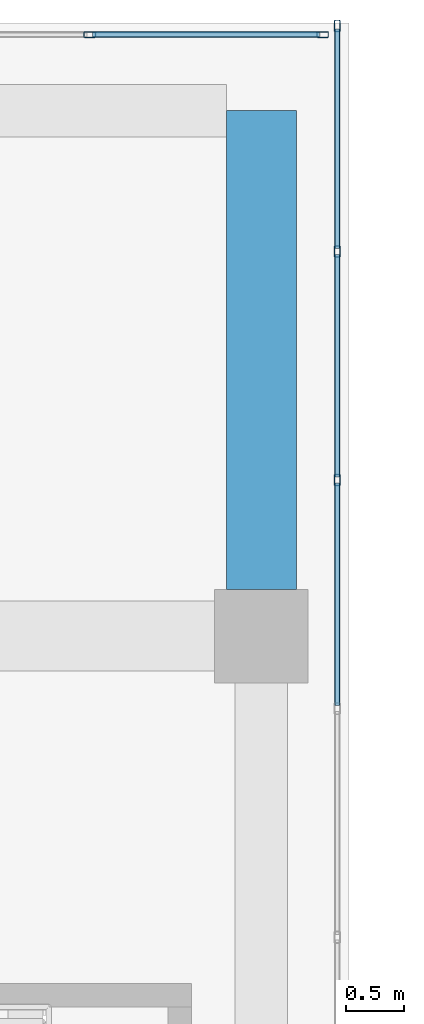
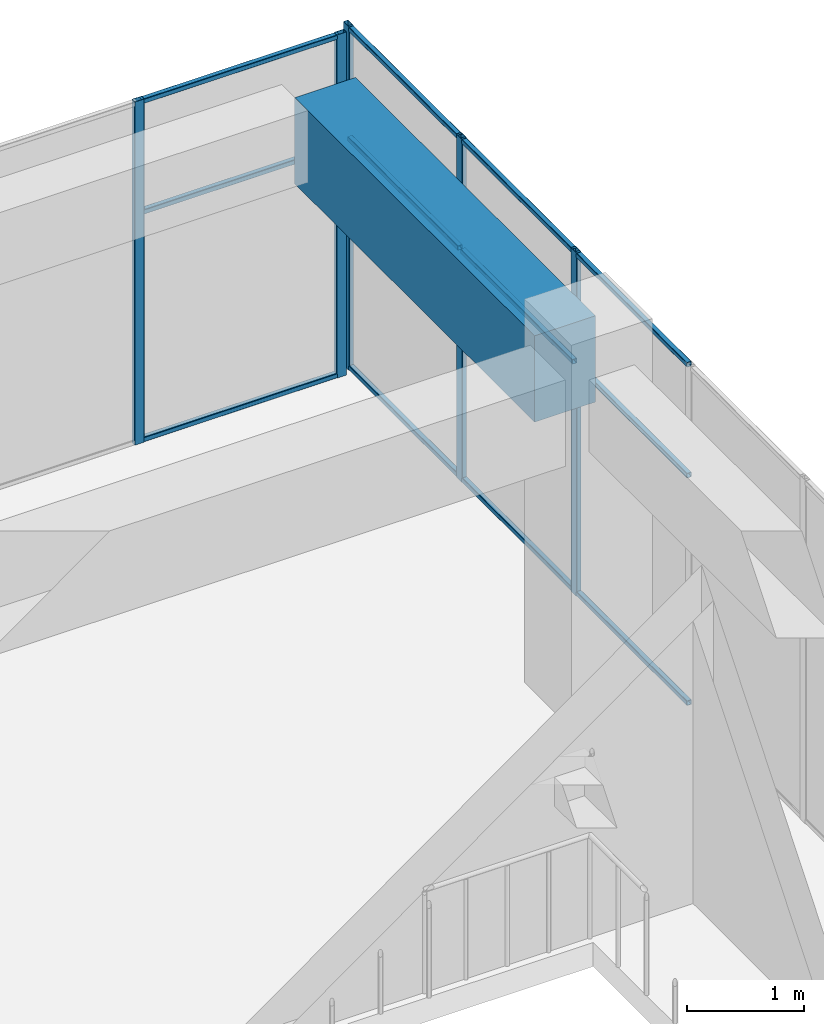
# One storey, part 38 of 52: 17 members, 1 beam, 2 elements without a shape of their own.
"""IFC4 building model written with IfcOpenShell, lengths in metres."""

from ifc_helpers import new_model, si_unit, direction, frame, origin, origin_2d, place, context, subcontext, project, spatial, rectangle, hollow_rectangle, extrude, material, layer, layer_set, material_profile, profile_set, type_object, element, aggregate, save


model = new_model("IFC4")

# Units and contexts
model_context = context("Model", 3, precision=1e-05, world=origin(), true_north=direction((0.0, 1.0)))
body_context = subcontext(model_context, "Body", "Model", "MODEL_VIEW")
ifc_project = project(units=[si_unit("LENGTHUNIT", "METRE"), si_unit("AREAUNIT", "SQUARE_METRE"), si_unit("VOLUMEUNIT", "CUBIC_METRE"), si_unit("PLANEANGLEUNIT", "RADIAN"), si_unit("MASSUNIT", "GRAM", prefix="KILO")], contexts=[model_context])

# Site, building, storey
site_placement = place(None, origin())
site = spatial("IfcSite", under=ifc_project, at=site_placement, CompositionType="ELEMENT")
building_placement = place(site_placement, origin())
building = spatial("IfcBuilding", under=site, at=building_placement, Name="Tuart Plaza Theatre", CompositionType="ELEMENT")
storey_placement = place(building_placement, frame((0.0, 0.0, 25.5)))
storey = spatial("IfcBuildingStorey", under=building, at=storey_placement, Name="L06", CompositionType="ELEMENT", Elevation=25.5)

# Beam
ifc_material_1 = material(Name="Concrete N40 (40 MPa)", Category="concrete")
ifc_material_profile_1 = material_profile(ifc_material_1, rectangle(XDim=0.60009765625, YDim=0.89990234375, at=origin_2d()), Name="BEAM 600x900 Concrete N40 (40 MPa)")
ifc_profile_set_1 = profile_set([ifc_material_profile_1], Name="Concrete N40 (40 MPa)")
beam_type = type_object("IfcBeamType", Name="BEAM 600x900 Concrete N40 (40 MPa)", PredefinedType="BEAM", material=ifc_profile_set_1)
beam_placement = place(storey_placement, frame((141.0, 92.39990234375, 3.1298828125), z_axis=(0.0, 1.0, 0.0), x_axis=(-1.0, 0.0, 0.0)))
element("IfcBeam", 1, at=beam_placement, inside=storey, type_object=beam_type, Name="RB233", PredefinedType="BEAM", context=body_context, shape_type="SweptSolid", body=[
    extrude(rectangle(XDim=0.60009765625, YDim=0.89990234375, at=origin_2d()), origin(), (0.0, 0.0, 1.0), 4.10009765625),
])

# Curtain wall, members
ifc_material_2 = material(Name="Aluminium and glass", Category="aluminium")
ifc_layer = layer(ifc_material_2, 0.10009765625)
ifc_layer_set = layer_set([ifc_layer], Name="CURTAIN WALL 2000 module")
curtain_wall_type = type_object("IfcCurtainWallType", Name="CURTAIN WALL 2000 module", PredefinedType="NOTDEFINED", material=ifc_layer_set)
curtain_wall_1_placement = place(storey_placement, origin())
curtain_wall_1 = element("IfcCurtainWall", 2, at=curtain_wall_1_placement, inside=storey, type_object=curtain_wall_type, Name="CW81", PredefinedType="NOTDEFINED")
ifc_material_3 = material(Name="Aluminium 6063-T5", Category="aluminium")
ifc_material_profile_2 = material_profile(ifc_material_3, hollow_rectangle(XDim=0.050048828125, YDim=0.10009765625, WallThickness=0.00390625, InnerFilletRadius=0.00390625, OuterFilletRadius=0.008056640625, at=origin_2d()), Name="RHS 100x50x4")
ifc_profile_set_2 = profile_set([ifc_material_profile_2], Name="Aluminium 6063-T5")
member_type_1 = type_object("IfcMemberType", Name="MULLION RHS 100x50x4", PredefinedType="MULLION", material=ifc_profile_set_2)
member_1_placement = place(storey_placement, frame((141.64990234375, 93.335693359375, 0.0), z_axis=(0.0, 0.0, 1.0), x_axis=(-1.0, 0.0, 0.0)))
member_1 = element("IfcMember", 3, at=member_1_placement, type_object=member_type_1, Name="CW81 mullion 6", PredefinedType="MULLION", context=body_context, shape_type="SweptSolid", body=[
    extrude(hollow_rectangle(XDim=0.050048828125, YDim=0.10009765625, WallThickness=0.00390625, InnerFilletRadius=0.00390625, OuterFilletRadius=0.008056640625, at=origin_2d()), origin(), (0.0, 0.0, 1.0), 3.580078125),
])
member_2_placement = place(storey_placement, frame((141.64990234375, 95.29296875, 0.0), z_axis=(0.0, 0.0, 1.0), x_axis=(-1.0, 0.0, 0.0)))
member_2 = element("IfcMember", 4, at=member_2_placement, type_object=member_type_1, Name="CW81 mullion 7", PredefinedType="MULLION", context=body_context, shape_type="SweptSolid", body=[
    extrude(hollow_rectangle(XDim=0.050048828125, YDim=0.10009765625, WallThickness=0.00390625, InnerFilletRadius=0.00390625, OuterFilletRadius=0.008056640625, at=origin_2d()), origin(), (0.0, 0.0, 1.0), 3.580078125),
])
member_3_placement = place(storey_placement, frame((141.64990234375, 97.22509765625, 0.0), z_axis=(0.0, 0.0, 1.0), x_axis=(-1.0, 0.0, 0.0)))
member_3 = element("IfcMember", 5, at=member_3_placement, type_object=member_type_1, Name="CW81 mullion 8", PredefinedType="MULLION", context=body_context, shape_type="SweptSolid", body=[
    extrude(hollow_rectangle(XDim=0.050048828125, YDim=0.10009765625, WallThickness=0.00390625, InnerFilletRadius=0.00390625, OuterFilletRadius=0.008056640625, at=origin_2d()), origin(), (0.0, 0.0, 1.0), 3.580078125),
])

curtain_wall_2_placement = place(storey_placement, origin())
curtain_wall_2 = element("IfcCurtainWall", 6, at=curtain_wall_2_placement, inside=storey, type_object=curtain_wall_type, Name="CW82", PredefinedType="NOTDEFINED")
member_4_placement = place(storey_placement, frame((141.52490234375, 97.14990234375, 0.0), z_axis=(0.0, 0.0, 1.0), x_axis=(0.0, -1.0, 0.0)))
member_4 = element("IfcMember", 7, at=member_4_placement, type_object=member_type_1, Name="CW82 mullion 1", PredefinedType="MULLION", context=body_context, shape_type="SweptSolid", body=[
    extrude(hollow_rectangle(XDim=0.050048828125, YDim=0.10009765625, WallThickness=0.00390625, InnerFilletRadius=0.00390625, OuterFilletRadius=0.008056640625, at=origin_2d()), origin(), (0.0, 0.0, 1.0), 3.580078125),
])
member_5_placement = place(storey_placement, frame((139.530029296875, 97.14990234375, 0.0), z_axis=(0.0, 0.0, 1.0), x_axis=(0.0, -1.0, 0.0)))
member_5 = element("IfcMember", 8, at=member_5_placement, type_object=member_type_1, Name="CW82 mullion 2", PredefinedType="MULLION", context=body_context, shape_type="SweptSolid", body=[
    extrude(hollow_rectangle(XDim=0.050048828125, YDim=0.10009765625, WallThickness=0.00390625, InnerFilletRadius=0.00390625, OuterFilletRadius=0.008056640625, at=origin_2d()), origin(), (0.0, 0.0, 1.0), 3.580078125),
])

# Member
ifc_material_4 = material(Name="Aluminium 6063-T5", Category="aluminium")
ifc_material_profile_3 = material_profile(ifc_material_4, hollow_rectangle(XDim=0.050048828125, YDim=0.050048828125, WallThickness=0.00390625, InnerFilletRadius=0.00390625, OuterFilletRadius=0.008056640625, at=origin_2d()), Name="RHS 50x50x4")
ifc_profile_set_3 = profile_set([ifc_material_profile_3], Name="Aluminium 6063-T5")
member_type_2 = type_object("IfcMemberType", Name="TRANSOM RHS 50x50x4", PredefinedType="USERDEFINED", material=ifc_profile_set_3)
member_6_placement = place(storey_placement, frame((141.64990234375, 91.403564453125, 0.02490234375), z_axis=(0.0, 1.0, 0.0), x_axis=(-1.0, 0.0, 0.0)))
member_6 = element("IfcMember", 9, at=member_6_placement, type_object=member_type_2, Name="CW81 transom 5.1", ObjectType="TRANSOM", PredefinedType="USERDEFINED", context=body_context, shape_type="SweptSolid", body=[
    extrude(hollow_rectangle(XDim=0.050048828125, YDim=0.050048828125, WallThickness=0.00390625, InnerFilletRadius=0.00390625, OuterFilletRadius=0.008056640625, at=origin_2d()), origin(), (0.0, 0.0, 1.0), 1.9072265625),
])

member_7_placement = place(storey_placement, frame((141.64990234375, 91.403564453125, 2.39990234375), z_axis=(0.0, 1.0, 0.0), x_axis=(-1.0, 0.0, 0.0)))
member_7 = element("IfcMember", 10, at=member_7_placement, type_object=member_type_2, Name="CW81 transom 5.2", ObjectType="TRANSOM", PredefinedType="USERDEFINED", context=body_context, shape_type="SweptSolid", body=[
    extrude(hollow_rectangle(XDim=0.050048828125, YDim=0.050048828125, WallThickness=0.00390625, InnerFilletRadius=0.00390625, OuterFilletRadius=0.008056640625, at=origin_2d()), origin(), (0.0, 0.0, 1.0), 1.9072265625),
])

member_8_placement = place(storey_placement, frame((141.64990234375, 91.403564453125, 3.554931640625), z_axis=(0.0, 1.0, 0.0), x_axis=(-1.0, 0.0, 0.0)))
member_8 = element("IfcMember", 11, at=member_8_placement, type_object=member_type_2, Name="CW81 transom 5.3", ObjectType="TRANSOM", PredefinedType="USERDEFINED", context=body_context, shape_type="SweptSolid", body=[
    extrude(hollow_rectangle(XDim=0.050048828125, YDim=0.050048828125, WallThickness=0.00390625, InnerFilletRadius=0.00390625, OuterFilletRadius=0.008056640625, at=origin_2d()), origin(), (0.0, 0.0, 1.0), 1.9072265625),
])

member_9_placement = place(storey_placement, frame((141.64990234375, 93.360595703125, 0.02490234375), z_axis=(0.0, 1.0, 0.0), x_axis=(-1.0, 0.0, 0.0)))
member_9 = element("IfcMember", 12, at=member_9_placement, type_object=member_type_2, Name="CW81 transom 6.1", ObjectType="TRANSOM", PredefinedType="USERDEFINED", context=body_context, shape_type="SweptSolid", body=[
    extrude(hollow_rectangle(XDim=0.050048828125, YDim=0.050048828125, WallThickness=0.00390625, InnerFilletRadius=0.00390625, OuterFilletRadius=0.008056640625, at=origin_2d()), origin(), (0.0, 0.0, 1.0), 1.9072265625),
])

member_10_placement = place(storey_placement, frame((141.64990234375, 93.360595703125, 2.39990234375), z_axis=(0.0, 1.0, 0.0), x_axis=(-1.0, 0.0, 0.0)))
member_10 = element("IfcMember", 13, at=member_10_placement, type_object=member_type_2, Name="CW81 transom 6.2", ObjectType="TRANSOM", PredefinedType="USERDEFINED", context=body_context, shape_type="SweptSolid", body=[
    extrude(hollow_rectangle(XDim=0.050048828125, YDim=0.050048828125, WallThickness=0.00390625, InnerFilletRadius=0.00390625, OuterFilletRadius=0.008056640625, at=origin_2d()), origin(), (0.0, 0.0, 1.0), 1.9072265625),
])

member_11_placement = place(storey_placement, frame((141.64990234375, 93.360595703125, 3.554931640625), z_axis=(0.0, 1.0, 0.0), x_axis=(-1.0, 0.0, 0.0)))
member_11 = element("IfcMember", 14, at=member_11_placement, type_object=member_type_2, Name="CW81 transom 6.3", ObjectType="TRANSOM", PredefinedType="USERDEFINED", context=body_context, shape_type="SweptSolid", body=[
    extrude(hollow_rectangle(XDim=0.050048828125, YDim=0.050048828125, WallThickness=0.00390625, InnerFilletRadius=0.00390625, OuterFilletRadius=0.008056640625, at=origin_2d()), origin(), (0.0, 0.0, 1.0), 1.9072265625),
])

member_12_placement = place(storey_placement, frame((141.64990234375, 95.31787109375, 0.02490234375), z_axis=(0.0, 1.0, 0.0), x_axis=(-1.0, 0.0, 0.0)))
member_12 = element("IfcMember", 15, at=member_12_placement, type_object=member_type_2, Name="CW81 transom 7.1", ObjectType="TRANSOM", PredefinedType="USERDEFINED", context=body_context, shape_type="SweptSolid", body=[
    extrude(hollow_rectangle(XDim=0.050048828125, YDim=0.050048828125, WallThickness=0.00390625, InnerFilletRadius=0.00390625, OuterFilletRadius=0.008056640625, at=origin_2d()), origin(), (0.0, 0.0, 1.0), 1.882080078125),
])

member_13_placement = place(storey_placement, frame((141.64990234375, 95.31787109375, 2.39990234375), z_axis=(0.0, 1.0, 0.0), x_axis=(-1.0, 0.0, 0.0)))
member_13 = element("IfcMember", 16, at=member_13_placement, type_object=member_type_2, Name="CW81 transom 7.2", ObjectType="TRANSOM", PredefinedType="USERDEFINED", context=body_context, shape_type="SweptSolid", body=[
    extrude(hollow_rectangle(XDim=0.050048828125, YDim=0.050048828125, WallThickness=0.00390625, InnerFilletRadius=0.00390625, OuterFilletRadius=0.008056640625, at=origin_2d()), origin(), (0.0, 0.0, 1.0), 1.882080078125),
])

member_14_placement = place(storey_placement, frame((141.64990234375, 95.31787109375, 3.554931640625), z_axis=(0.0, 1.0, 0.0), x_axis=(-1.0, 0.0, 0.0)))
member_14 = element("IfcMember", 17, at=member_14_placement, type_object=member_type_2, Name="CW81 transom 7.3", ObjectType="TRANSOM", PredefinedType="USERDEFINED", context=body_context, shape_type="SweptSolid", body=[
    extrude(hollow_rectangle(XDim=0.050048828125, YDim=0.050048828125, WallThickness=0.00390625, InnerFilletRadius=0.00390625, OuterFilletRadius=0.008056640625, at=origin_2d()), origin(), (0.0, 0.0, 1.0), 1.882080078125),
])

aggregate(curtain_wall_1, [member_1, member_2, member_3, member_6, member_7, member_8, member_9, member_10, member_11, member_12, member_13, member_14])

member_15_placement = place(storey_placement, frame((141.5, 97.14990234375, 0.02490234375), z_axis=(-1.0, 0.0, 0.0), x_axis=(0.0, -1.0, 0.0)))
member_15 = element("IfcMember", 18, at=member_15_placement, type_object=member_type_2, Name="CW82 transom 1.1", ObjectType="TRANSOM", PredefinedType="USERDEFINED", context=body_context, shape_type="SweptSolid", body=[
    extrude(hollow_rectangle(XDim=0.050048828125, YDim=0.050048828125, WallThickness=0.00390625, InnerFilletRadius=0.00390625, OuterFilletRadius=0.008056640625, at=origin_2d()), origin(), (0.0, 0.0, 1.0), 1.945068359375),
])

member_16_placement = place(storey_placement, frame((141.5, 97.14990234375, 2.39990234375), z_axis=(-1.0, 0.0, 0.0), x_axis=(0.0, -1.0, 0.0)))
member_16 = element("IfcMember", 19, at=member_16_placement, type_object=member_type_2, Name="CW82 transom 1.2", ObjectType="TRANSOM", PredefinedType="USERDEFINED", context=body_context, shape_type="SweptSolid", body=[
    extrude(hollow_rectangle(XDim=0.050048828125, YDim=0.050048828125, WallThickness=0.00390625, InnerFilletRadius=0.00390625, OuterFilletRadius=0.008056640625, at=origin_2d()), origin(), (0.0, 0.0, 1.0), 1.945068359375),
])

member_17_placement = place(storey_placement, frame((141.5, 97.14990234375, 3.554931640625), z_axis=(-1.0, 0.0, 0.0), x_axis=(0.0, -1.0, 0.0)))
member_17 = element("IfcMember", 20, at=member_17_placement, type_object=member_type_2, Name="CW82 transom 1.3", ObjectType="TRANSOM", PredefinedType="USERDEFINED", context=body_context, shape_type="SweptSolid", body=[
    extrude(hollow_rectangle(XDim=0.050048828125, YDim=0.050048828125, WallThickness=0.00390625, InnerFilletRadius=0.00390625, OuterFilletRadius=0.008056640625, at=origin_2d()), origin(), (0.0, 0.0, 1.0), 1.945068359375),
])

aggregate(curtain_wall_2, [member_4, member_5, member_15, member_16, member_17])

save(model, "model.ifc")
